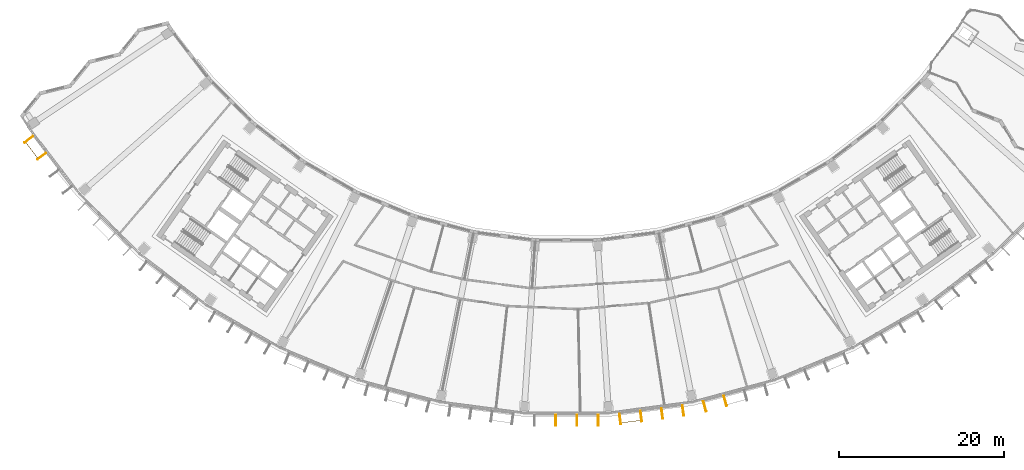
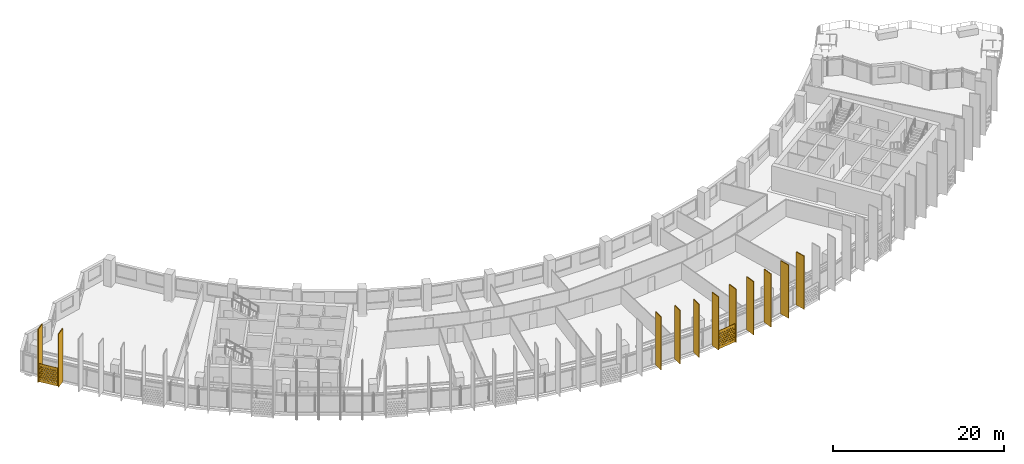
# One storey, part 25 of 30: 13 shading devices.
"""IFC4 building model written with IfcOpenShell, lengths in metres."""

from ifc_helpers import new_model, si_unit, direction, frame, origin, origin_2d, place, context, subcontext, project, spatial, polyline, rectangle, outline, extrude, material, material_profile, profile_set, type_object, element, save


model = new_model("IFC4")

# Units and contexts
model_context = context("Model", 3, precision=1e-05, world=origin(), true_north=direction((0.0, 1.0)))
body_context = subcontext(model_context, "Body", "Model", "MODEL_VIEW")
ifc_project = project(units=[si_unit("LENGTHUNIT", "METRE"), si_unit("AREAUNIT", "SQUARE_METRE"), si_unit("VOLUMEUNIT", "CUBIC_METRE"), si_unit("PLANEANGLEUNIT", "RADIAN"), si_unit("MASSUNIT", "GRAM", prefix="KILO")], contexts=[model_context])

# Site, building, storey
site_placement = place(None, origin())
site = spatial("IfcSite", under=ifc_project, at=site_placement, CompositionType="ELEMENT")
building_placement = place(site_placement, origin())
building = spatial("IfcBuilding", under=site, at=building_placement, Name="Qamariyya Broadcast Tower", CompositionType="ELEMENT")
storey_placement = place(building_placement, frame((0.0, 0.0, 203.699951171875)))
storey = spatial("IfcBuildingStorey", under=building, at=storey_placement, Name="L48", CompositionType="ELEMENT", Elevation=203.699951171875)

# Shading devices
ifc_material_1 = material(Name="Perforated glazed terracotta", Category="masonry")
ifc_material_profile_1 = material_profile(ifc_material_1, outline(polyline([(-1.199951171875, -1.300048828125), (1.199951171875, -1.300048828125), (1.199951171875, 1.300048828125), (-1.199951171875, 1.300048828125), (-1.199951171875, -1.300048828125)]), holes=[polyline([(-0.81494140625, -0.86669921875), (-0.89990234375, -0.78173828125), (-0.985107421875, -0.86669921875), (-0.89990234375, -0.95166015625), (-0.81494140625, -0.86669921875)]), polyline([(-0.514892578125, -0.86669921875), (-0.60009765625, -0.78173828125), (-0.68505859375, -0.86669921875), (-0.60009765625, -0.95166015625), (-0.514892578125, -0.86669921875)]), polyline([(-0.215087890625, -0.86669921875), (-0.300048828125, -0.78173828125), (-0.385009765625, -0.86669921875), (-0.300048828125, -0.95166015625), (-0.215087890625, -0.86669921875)]), polyline([(0.0849609375, -0.86669921875), (0.0, -0.78173828125), (-0.0849609375, -0.86669921875), (0.0, -0.95166015625), (0.0849609375, -0.86669921875)]), polyline([(0.385009765625, -0.86669921875), (0.300048828125, -0.78173828125), (0.215087890625, -0.86669921875), (0.300048828125, -0.95166015625), (0.385009765625, -0.86669921875)]), polyline([(0.68505859375, -0.86669921875), (0.60009765625, -0.78173828125), (0.514892578125, -0.86669921875), (0.60009765625, -0.95166015625), (0.68505859375, -0.86669921875)]), polyline([(0.985107421875, -0.86669921875), (0.89990234375, -0.78173828125), (0.81494140625, -0.86669921875), (0.89990234375, -0.95166015625), (0.985107421875, -0.86669921875)]), polyline([(-0.965087890625, -0.577880859375), (-1.050048828125, -0.49267578125), (-1.135009765625, -0.577880859375), (-1.050048828125, -0.662841796875), (-0.965087890625, -0.577880859375)]), polyline([(-0.6650390625, -0.577880859375), (-0.75, -0.49267578125), (-0.8349609375, -0.577880859375), (-0.75, -0.662841796875), (-0.6650390625, -0.577880859375)]), polyline([(-0.364990234375, -0.577880859375), (-0.449951171875, -0.49267578125), (-0.534912109375, -0.577880859375), (-0.449951171875, -0.662841796875), (-0.364990234375, -0.577880859375)]), polyline([(-0.06494140625, -0.577880859375), (-0.14990234375, -0.49267578125), (-0.235107421875, -0.577880859375), (-0.14990234375, -0.662841796875), (-0.06494140625, -0.577880859375)]), polyline([(0.235107421875, -0.577880859375), (0.14990234375, -0.49267578125), (0.06494140625, -0.577880859375), (0.14990234375, -0.662841796875), (0.235107421875, -0.577880859375)]), polyline([(0.534912109375, -0.577880859375), (0.449951171875, -0.49267578125), (0.364990234375, -0.577880859375), (0.449951171875, -0.662841796875), (0.534912109375, -0.577880859375)]), polyline([(0.8349609375, -0.577880859375), (0.75, -0.49267578125), (0.6650390625, -0.577880859375), (0.75, -0.662841796875), (0.8349609375, -0.577880859375)]), polyline([(1.135009765625, -0.577880859375), (1.050048828125, -0.49267578125), (0.965087890625, -0.577880859375), (1.050048828125, -0.662841796875), (1.135009765625, -0.577880859375)]), polyline([(-0.81494140625, -0.288818359375), (-0.89990234375, -0.203857421875), (-0.985107421875, -0.288818359375), (-0.89990234375, -0.373779296875), (-0.81494140625, -0.288818359375)]), polyline([(-0.514892578125, -0.288818359375), (-0.60009765625, -0.203857421875), (-0.68505859375, -0.288818359375), (-0.60009765625, -0.373779296875), (-0.514892578125, -0.288818359375)]), polyline([(-0.215087890625, -0.288818359375), (-0.300048828125, -0.203857421875), (-0.385009765625, -0.288818359375), (-0.300048828125, -0.373779296875), (-0.215087890625, -0.288818359375)]), polyline([(0.0849609375, -0.288818359375), (0.0, -0.203857421875), (-0.0849609375, -0.288818359375), (0.0, -0.373779296875), (0.0849609375, -0.288818359375)]), polyline([(0.385009765625, -0.288818359375), (0.300048828125, -0.203857421875), (0.215087890625, -0.288818359375), (0.300048828125, -0.373779296875), (0.385009765625, -0.288818359375)]), polyline([(0.68505859375, -0.288818359375), (0.60009765625, -0.203857421875), (0.514892578125, -0.288818359375), (0.60009765625, -0.373779296875), (0.68505859375, -0.288818359375)]), polyline([(0.985107421875, -0.288818359375), (0.89990234375, -0.203857421875), (0.81494140625, -0.288818359375), (0.89990234375, -0.373779296875), (0.985107421875, -0.288818359375)]), polyline([(-0.965087890625, 0.0), (-1.050048828125, 0.0849609375), (-1.135009765625, 0.0), (-1.050048828125, -0.0849609375), (-0.965087890625, 0.0)]), polyline([(-0.6650390625, 0.0), (-0.75, 0.0849609375), (-0.8349609375, 0.0), (-0.75, -0.0849609375), (-0.6650390625, 0.0)]), polyline([(-0.364990234375, 0.0), (-0.449951171875, 0.0849609375), (-0.534912109375, 0.0), (-0.449951171875, -0.0849609375), (-0.364990234375, 0.0)]), polyline([(-0.06494140625, 0.0), (-0.14990234375, 0.0849609375), (-0.235107421875, 0.0), (-0.14990234375, -0.0849609375), (-0.06494140625, 0.0)]), polyline([(0.235107421875, 0.0), (0.14990234375, 0.0849609375), (0.06494140625, 0.0), (0.14990234375, -0.0849609375), (0.235107421875, 0.0)]), polyline([(0.534912109375, 0.0), (0.449951171875, 0.0849609375), (0.364990234375, 0.0), (0.449951171875, -0.0849609375), (0.534912109375, 0.0)]), polyline([(0.8349609375, 0.0), (0.75, 0.0849609375), (0.6650390625, 0.0), (0.75, -0.0849609375), (0.8349609375, 0.0)]), polyline([(1.135009765625, 0.0), (1.050048828125, 0.0849609375), (0.965087890625, 0.0), (1.050048828125, -0.0849609375), (1.135009765625, 0.0)]), polyline([(-0.81494140625, 0.288818359375), (-0.89990234375, 0.373779296875), (-0.985107421875, 0.288818359375), (-0.89990234375, 0.203857421875), (-0.81494140625, 0.288818359375)]), polyline([(-0.514892578125, 0.288818359375), (-0.60009765625, 0.373779296875), (-0.68505859375, 0.288818359375), (-0.60009765625, 0.203857421875), (-0.514892578125, 0.288818359375)]), polyline([(-0.215087890625, 0.288818359375), (-0.300048828125, 0.373779296875), (-0.385009765625, 0.288818359375), (-0.300048828125, 0.203857421875), (-0.215087890625, 0.288818359375)]), polyline([(0.0849609375, 0.288818359375), (0.0, 0.373779296875), (-0.0849609375, 0.288818359375), (0.0, 0.203857421875), (0.0849609375, 0.288818359375)]), polyline([(0.385009765625, 0.288818359375), (0.300048828125, 0.373779296875), (0.215087890625, 0.288818359375), (0.300048828125, 0.203857421875), (0.385009765625, 0.288818359375)]), polyline([(0.68505859375, 0.288818359375), (0.60009765625, 0.373779296875), (0.514892578125, 0.288818359375), (0.60009765625, 0.203857421875), (0.68505859375, 0.288818359375)]), polyline([(0.985107421875, 0.288818359375), (0.89990234375, 0.373779296875), (0.81494140625, 0.288818359375), (0.89990234375, 0.203857421875), (0.985107421875, 0.288818359375)]), polyline([(-0.965087890625, 0.577880859375), (-1.050048828125, 0.662841796875), (-1.135009765625, 0.577880859375), (-1.050048828125, 0.49267578125), (-0.965087890625, 0.577880859375)]), polyline([(-0.6650390625, 0.577880859375), (-0.75, 0.662841796875), (-0.8349609375, 0.577880859375), (-0.75, 0.49267578125), (-0.6650390625, 0.577880859375)]), polyline([(-0.364990234375, 0.577880859375), (-0.449951171875, 0.662841796875), (-0.534912109375, 0.577880859375), (-0.449951171875, 0.49267578125), (-0.364990234375, 0.577880859375)]), polyline([(-0.06494140625, 0.577880859375), (-0.14990234375, 0.662841796875), (-0.235107421875, 0.577880859375), (-0.14990234375, 0.49267578125), (-0.06494140625, 0.577880859375)]), polyline([(0.235107421875, 0.577880859375), (0.14990234375, 0.662841796875), (0.06494140625, 0.577880859375), (0.14990234375, 0.49267578125), (0.235107421875, 0.577880859375)]), polyline([(0.534912109375, 0.577880859375), (0.449951171875, 0.662841796875), (0.364990234375, 0.577880859375), (0.449951171875, 0.49267578125), (0.534912109375, 0.577880859375)]), polyline([(0.8349609375, 0.577880859375), (0.75, 0.662841796875), (0.6650390625, 0.577880859375), (0.75, 0.49267578125), (0.8349609375, 0.577880859375)]), polyline([(1.135009765625, 0.577880859375), (1.050048828125, 0.662841796875), (0.965087890625, 0.577880859375), (1.050048828125, 0.49267578125), (1.135009765625, 0.577880859375)]), polyline([(-0.81494140625, 0.86669921875), (-0.89990234375, 0.95166015625), (-0.985107421875, 0.86669921875), (-0.89990234375, 0.78173828125), (-0.81494140625, 0.86669921875)]), polyline([(-0.514892578125, 0.86669921875), (-0.60009765625, 0.95166015625), (-0.68505859375, 0.86669921875), (-0.60009765625, 0.78173828125), (-0.514892578125, 0.86669921875)]), polyline([(-0.215087890625, 0.86669921875), (-0.300048828125, 0.95166015625), (-0.385009765625, 0.86669921875), (-0.300048828125, 0.78173828125), (-0.215087890625, 0.86669921875)]), polyline([(0.0849609375, 0.86669921875), (0.0, 0.95166015625), (-0.0849609375, 0.86669921875), (0.0, 0.78173828125), (0.0849609375, 0.86669921875)]), polyline([(0.385009765625, 0.86669921875), (0.300048828125, 0.95166015625), (0.215087890625, 0.86669921875), (0.300048828125, 0.78173828125), (0.385009765625, 0.86669921875)]), polyline([(0.68505859375, 0.86669921875), (0.60009765625, 0.95166015625), (0.514892578125, 0.86669921875), (0.60009765625, 0.78173828125), (0.68505859375, 0.86669921875)]), polyline([(0.985107421875, 0.86669921875), (0.89990234375, 0.95166015625), (0.81494140625, 0.86669921875), (0.89990234375, 0.78173828125), (0.985107421875, 0.86669921875)])]))
ifc_profile_set_1 = profile_set([ifc_material_profile_1], Name="Perforated glazed terracotta")
shading_device_type_1 = type_object("IfcShadingDeviceType", Name="Perforated terracotta screen 2400 x 2600", PredefinedType="USERDEFINED", material=ifc_profile_set_1)
shading_device_1_placement = place(storey_placement, frame((-64.85888671875, -46.480712890625, 1.35009765625), z_axis=(-0.794589096806, -0.607147566278, 0.0), x_axis=(0.607147566278, -0.794589096806, 0.0)))
element("IfcShadingDevice", 1, at=shading_device_1_placement, inside=storey, type_object=shading_device_type_1, Name="e-scr-L48-01-0", ObjectType="SCREEN", PredefinedType="USERDEFINED", context=body_context, shape_type="SweptSolid", body=[
    extrude(outline(polyline([(-1.199951171875, -1.300048828125), (1.199951171875, -1.300048828125), (1.199951171875, 1.300048828125), (-1.199951171875, 1.300048828125), (-1.199951171875, -1.300048828125)]), holes=[polyline([(-0.81494140625, -0.86669921875), (-0.89990234375, -0.78173828125), (-0.985107421875, -0.86669921875), (-0.89990234375, -0.95166015625), (-0.81494140625, -0.86669921875)]), polyline([(-0.514892578125, -0.86669921875), (-0.60009765625, -0.78173828125), (-0.68505859375, -0.86669921875), (-0.60009765625, -0.95166015625), (-0.514892578125, -0.86669921875)]), polyline([(-0.215087890625, -0.86669921875), (-0.300048828125, -0.78173828125), (-0.385009765625, -0.86669921875), (-0.300048828125, -0.95166015625), (-0.215087890625, -0.86669921875)]), polyline([(0.0849609375, -0.86669921875), (0.0, -0.78173828125), (-0.0849609375, -0.86669921875), (0.0, -0.95166015625), (0.0849609375, -0.86669921875)]), polyline([(0.385009765625, -0.86669921875), (0.300048828125, -0.78173828125), (0.215087890625, -0.86669921875), (0.300048828125, -0.95166015625), (0.385009765625, -0.86669921875)]), polyline([(0.68505859375, -0.86669921875), (0.60009765625, -0.78173828125), (0.514892578125, -0.86669921875), (0.60009765625, -0.95166015625), (0.68505859375, -0.86669921875)]), polyline([(0.985107421875, -0.86669921875), (0.89990234375, -0.78173828125), (0.81494140625, -0.86669921875), (0.89990234375, -0.95166015625), (0.985107421875, -0.86669921875)]), polyline([(-0.965087890625, -0.577880859375), (-1.050048828125, -0.49267578125), (-1.135009765625, -0.577880859375), (-1.050048828125, -0.662841796875), (-0.965087890625, -0.577880859375)]), polyline([(-0.6650390625, -0.577880859375), (-0.75, -0.49267578125), (-0.8349609375, -0.577880859375), (-0.75, -0.662841796875), (-0.6650390625, -0.577880859375)]), polyline([(-0.364990234375, -0.577880859375), (-0.449951171875, -0.49267578125), (-0.534912109375, -0.577880859375), (-0.449951171875, -0.662841796875), (-0.364990234375, -0.577880859375)]), polyline([(-0.06494140625, -0.577880859375), (-0.14990234375, -0.49267578125), (-0.235107421875, -0.577880859375), (-0.14990234375, -0.662841796875), (-0.06494140625, -0.577880859375)]), polyline([(0.235107421875, -0.577880859375), (0.14990234375, -0.49267578125), (0.06494140625, -0.577880859375), (0.14990234375, -0.662841796875), (0.235107421875, -0.577880859375)]), polyline([(0.534912109375, -0.577880859375), (0.449951171875, -0.49267578125), (0.364990234375, -0.577880859375), (0.449951171875, -0.662841796875), (0.534912109375, -0.577880859375)]), polyline([(0.8349609375, -0.577880859375), (0.75, -0.49267578125), (0.6650390625, -0.577880859375), (0.75, -0.662841796875), (0.8349609375, -0.577880859375)]), polyline([(1.135009765625, -0.577880859375), (1.050048828125, -0.49267578125), (0.965087890625, -0.577880859375), (1.050048828125, -0.662841796875), (1.135009765625, -0.577880859375)]), polyline([(-0.81494140625, -0.288818359375), (-0.89990234375, -0.203857421875), (-0.985107421875, -0.288818359375), (-0.89990234375, -0.373779296875), (-0.81494140625, -0.288818359375)]), polyline([(-0.514892578125, -0.288818359375), (-0.60009765625, -0.203857421875), (-0.68505859375, -0.288818359375), (-0.60009765625, -0.373779296875), (-0.514892578125, -0.288818359375)]), polyline([(-0.215087890625, -0.288818359375), (-0.300048828125, -0.203857421875), (-0.385009765625, -0.288818359375), (-0.300048828125, -0.373779296875), (-0.215087890625, -0.288818359375)]), polyline([(0.0849609375, -0.288818359375), (0.0, -0.203857421875), (-0.0849609375, -0.288818359375), (0.0, -0.373779296875), (0.0849609375, -0.288818359375)]), polyline([(0.385009765625, -0.288818359375), (0.300048828125, -0.203857421875), (0.215087890625, -0.288818359375), (0.300048828125, -0.373779296875), (0.385009765625, -0.288818359375)]), polyline([(0.68505859375, -0.288818359375), (0.60009765625, -0.203857421875), (0.514892578125, -0.288818359375), (0.60009765625, -0.373779296875), (0.68505859375, -0.288818359375)]), polyline([(0.985107421875, -0.288818359375), (0.89990234375, -0.203857421875), (0.81494140625, -0.288818359375), (0.89990234375, -0.373779296875), (0.985107421875, -0.288818359375)]), polyline([(-0.965087890625, 0.0), (-1.050048828125, 0.0849609375), (-1.135009765625, 0.0), (-1.050048828125, -0.0849609375), (-0.965087890625, 0.0)]), polyline([(-0.6650390625, 0.0), (-0.75, 0.0849609375), (-0.8349609375, 0.0), (-0.75, -0.0849609375), (-0.6650390625, 0.0)]), polyline([(-0.364990234375, 0.0), (-0.449951171875, 0.0849609375), (-0.534912109375, 0.0), (-0.449951171875, -0.0849609375), (-0.364990234375, 0.0)]), polyline([(-0.06494140625, 0.0), (-0.14990234375, 0.0849609375), (-0.235107421875, 0.0), (-0.14990234375, -0.0849609375), (-0.06494140625, 0.0)]), polyline([(0.235107421875, 0.0), (0.14990234375, 0.0849609375), (0.06494140625, 0.0), (0.14990234375, -0.0849609375), (0.235107421875, 0.0)]), polyline([(0.534912109375, 0.0), (0.449951171875, 0.0849609375), (0.364990234375, 0.0), (0.449951171875, -0.0849609375), (0.534912109375, 0.0)]), polyline([(0.8349609375, 0.0), (0.75, 0.0849609375), (0.6650390625, 0.0), (0.75, -0.0849609375), (0.8349609375, 0.0)]), polyline([(1.135009765625, 0.0), (1.050048828125, 0.0849609375), (0.965087890625, 0.0), (1.050048828125, -0.0849609375), (1.135009765625, 0.0)]), polyline([(-0.81494140625, 0.288818359375), (-0.89990234375, 0.373779296875), (-0.985107421875, 0.288818359375), (-0.89990234375, 0.203857421875), (-0.81494140625, 0.288818359375)]), polyline([(-0.514892578125, 0.288818359375), (-0.60009765625, 0.373779296875), (-0.68505859375, 0.288818359375), (-0.60009765625, 0.203857421875), (-0.514892578125, 0.288818359375)]), polyline([(-0.215087890625, 0.288818359375), (-0.300048828125, 0.373779296875), (-0.385009765625, 0.288818359375), (-0.300048828125, 0.203857421875), (-0.215087890625, 0.288818359375)]), polyline([(0.0849609375, 0.288818359375), (0.0, 0.373779296875), (-0.0849609375, 0.288818359375), (0.0, 0.203857421875), (0.0849609375, 0.288818359375)]), polyline([(0.385009765625, 0.288818359375), (0.300048828125, 0.373779296875), (0.215087890625, 0.288818359375), (0.300048828125, 0.203857421875), (0.385009765625, 0.288818359375)]), polyline([(0.68505859375, 0.288818359375), (0.60009765625, 0.373779296875), (0.514892578125, 0.288818359375), (0.60009765625, 0.203857421875), (0.68505859375, 0.288818359375)]), polyline([(0.985107421875, 0.288818359375), (0.89990234375, 0.373779296875), (0.81494140625, 0.288818359375), (0.89990234375, 0.203857421875), (0.985107421875, 0.288818359375)]), polyline([(-0.965087890625, 0.577880859375), (-1.050048828125, 0.662841796875), (-1.135009765625, 0.577880859375), (-1.050048828125, 0.49267578125), (-0.965087890625, 0.577880859375)]), polyline([(-0.6650390625, 0.577880859375), (-0.75, 0.662841796875), (-0.8349609375, 0.577880859375), (-0.75, 0.49267578125), (-0.6650390625, 0.577880859375)]), polyline([(-0.364990234375, 0.577880859375), (-0.449951171875, 0.662841796875), (-0.534912109375, 0.577880859375), (-0.449951171875, 0.49267578125), (-0.364990234375, 0.577880859375)]), polyline([(-0.06494140625, 0.577880859375), (-0.14990234375, 0.662841796875), (-0.235107421875, 0.577880859375), (-0.14990234375, 0.49267578125), (-0.06494140625, 0.577880859375)]), polyline([(0.235107421875, 0.577880859375), (0.14990234375, 0.662841796875), (0.06494140625, 0.577880859375), (0.14990234375, 0.49267578125), (0.235107421875, 0.577880859375)]), polyline([(0.534912109375, 0.577880859375), (0.449951171875, 0.662841796875), (0.364990234375, 0.577880859375), (0.449951171875, 0.49267578125), (0.534912109375, 0.577880859375)]), polyline([(0.8349609375, 0.577880859375), (0.75, 0.662841796875), (0.6650390625, 0.577880859375), (0.75, 0.49267578125), (0.8349609375, 0.577880859375)]), polyline([(1.135009765625, 0.577880859375), (1.050048828125, 0.662841796875), (0.965087890625, 0.577880859375), (1.050048828125, 0.49267578125), (1.135009765625, 0.577880859375)]), polyline([(-0.81494140625, 0.86669921875), (-0.89990234375, 0.95166015625), (-0.985107421875, 0.86669921875), (-0.89990234375, 0.78173828125), (-0.81494140625, 0.86669921875)]), polyline([(-0.514892578125, 0.86669921875), (-0.60009765625, 0.95166015625), (-0.68505859375, 0.86669921875), (-0.60009765625, 0.78173828125), (-0.514892578125, 0.86669921875)]), polyline([(-0.215087890625, 0.86669921875), (-0.300048828125, 0.95166015625), (-0.385009765625, 0.86669921875), (-0.300048828125, 0.78173828125), (-0.215087890625, 0.86669921875)]), polyline([(0.0849609375, 0.86669921875), (0.0, 0.95166015625), (-0.0849609375, 0.86669921875), (0.0, 0.78173828125), (0.0849609375, 0.86669921875)]), polyline([(0.385009765625, 0.86669921875), (0.300048828125, 0.95166015625), (0.215087890625, 0.86669921875), (0.300048828125, 0.78173828125), (0.385009765625, 0.86669921875)]), polyline([(0.68505859375, 0.86669921875), (0.60009765625, 0.95166015625), (0.514892578125, 0.86669921875), (0.60009765625, 0.78173828125), (0.68505859375, 0.86669921875)]), polyline([(0.985107421875, 0.86669921875), (0.89990234375, 0.95166015625), (0.81494140625, 0.86669921875), (0.89990234375, 0.78173828125), (0.985107421875, 0.86669921875)])]), origin(), (0.0, 0.0, 1.0), 0.059814453125),
])
shading_device_2_placement = place(storey_placement, frame((7.823974609375, -79.40966796875, 1.35009765625), z_axis=(0.1300340368, -0.991509530601, 0.0), x_axis=(0.991509530601, 0.1300340368, 0.0)))
element("IfcShadingDevice", 2, at=shading_device_2_placement, inside=storey, type_object=shading_device_type_1, Name="e-scr-L48-09-0", ObjectType="SCREEN", PredefinedType="USERDEFINED", context=body_context, shape_type="SweptSolid", body=[
    extrude(outline(polyline([(-1.199951171875, -1.300048828125), (1.199951171875, -1.300048828125), (1.199951171875, 1.300048828125), (-1.199951171875, 1.300048828125), (-1.199951171875, -1.300048828125)]), holes=[polyline([(-0.81494140625, -0.86669921875), (-0.89990234375, -0.78173828125), (-0.985107421875, -0.86669921875), (-0.89990234375, -0.95166015625), (-0.81494140625, -0.86669921875)]), polyline([(-0.514892578125, -0.86669921875), (-0.60009765625, -0.78173828125), (-0.68505859375, -0.86669921875), (-0.60009765625, -0.95166015625), (-0.514892578125, -0.86669921875)]), polyline([(-0.215087890625, -0.86669921875), (-0.300048828125, -0.78173828125), (-0.385009765625, -0.86669921875), (-0.300048828125, -0.95166015625), (-0.215087890625, -0.86669921875)]), polyline([(0.0849609375, -0.86669921875), (0.0, -0.78173828125), (-0.0849609375, -0.86669921875), (0.0, -0.95166015625), (0.0849609375, -0.86669921875)]), polyline([(0.385009765625, -0.86669921875), (0.300048828125, -0.78173828125), (0.215087890625, -0.86669921875), (0.300048828125, -0.95166015625), (0.385009765625, -0.86669921875)]), polyline([(0.68505859375, -0.86669921875), (0.60009765625, -0.78173828125), (0.514892578125, -0.86669921875), (0.60009765625, -0.95166015625), (0.68505859375, -0.86669921875)]), polyline([(0.985107421875, -0.86669921875), (0.89990234375, -0.78173828125), (0.81494140625, -0.86669921875), (0.89990234375, -0.95166015625), (0.985107421875, -0.86669921875)]), polyline([(-0.965087890625, -0.577880859375), (-1.050048828125, -0.49267578125), (-1.135009765625, -0.577880859375), (-1.050048828125, -0.662841796875), (-0.965087890625, -0.577880859375)]), polyline([(-0.6650390625, -0.577880859375), (-0.75, -0.49267578125), (-0.8349609375, -0.577880859375), (-0.75, -0.662841796875), (-0.6650390625, -0.577880859375)]), polyline([(-0.364990234375, -0.577880859375), (-0.449951171875, -0.49267578125), (-0.534912109375, -0.577880859375), (-0.449951171875, -0.662841796875), (-0.364990234375, -0.577880859375)]), polyline([(-0.06494140625, -0.577880859375), (-0.14990234375, -0.49267578125), (-0.235107421875, -0.577880859375), (-0.14990234375, -0.662841796875), (-0.06494140625, -0.577880859375)]), polyline([(0.235107421875, -0.577880859375), (0.14990234375, -0.49267578125), (0.06494140625, -0.577880859375), (0.14990234375, -0.662841796875), (0.235107421875, -0.577880859375)]), polyline([(0.534912109375, -0.577880859375), (0.449951171875, -0.49267578125), (0.364990234375, -0.577880859375), (0.449951171875, -0.662841796875), (0.534912109375, -0.577880859375)]), polyline([(0.8349609375, -0.577880859375), (0.75, -0.49267578125), (0.6650390625, -0.577880859375), (0.75, -0.662841796875), (0.8349609375, -0.577880859375)]), polyline([(1.135009765625, -0.577880859375), (1.050048828125, -0.49267578125), (0.965087890625, -0.577880859375), (1.050048828125, -0.662841796875), (1.135009765625, -0.577880859375)]), polyline([(-0.81494140625, -0.288818359375), (-0.89990234375, -0.203857421875), (-0.985107421875, -0.288818359375), (-0.89990234375, -0.373779296875), (-0.81494140625, -0.288818359375)]), polyline([(-0.514892578125, -0.288818359375), (-0.60009765625, -0.203857421875), (-0.68505859375, -0.288818359375), (-0.60009765625, -0.373779296875), (-0.514892578125, -0.288818359375)]), polyline([(-0.215087890625, -0.288818359375), (-0.300048828125, -0.203857421875), (-0.385009765625, -0.288818359375), (-0.300048828125, -0.373779296875), (-0.215087890625, -0.288818359375)]), polyline([(0.0849609375, -0.288818359375), (0.0, -0.203857421875), (-0.0849609375, -0.288818359375), (0.0, -0.373779296875), (0.0849609375, -0.288818359375)]), polyline([(0.385009765625, -0.288818359375), (0.300048828125, -0.203857421875), (0.215087890625, -0.288818359375), (0.300048828125, -0.373779296875), (0.385009765625, -0.288818359375)]), polyline([(0.68505859375, -0.288818359375), (0.60009765625, -0.203857421875), (0.514892578125, -0.288818359375), (0.60009765625, -0.373779296875), (0.68505859375, -0.288818359375)]), polyline([(0.985107421875, -0.288818359375), (0.89990234375, -0.203857421875), (0.81494140625, -0.288818359375), (0.89990234375, -0.373779296875), (0.985107421875, -0.288818359375)]), polyline([(-0.965087890625, 0.0), (-1.050048828125, 0.0849609375), (-1.135009765625, 0.0), (-1.050048828125, -0.0849609375), (-0.965087890625, 0.0)]), polyline([(-0.6650390625, 0.0), (-0.75, 0.0849609375), (-0.8349609375, 0.0), (-0.75, -0.0849609375), (-0.6650390625, 0.0)]), polyline([(-0.364990234375, 0.0), (-0.449951171875, 0.0849609375), (-0.534912109375, 0.0), (-0.449951171875, -0.0849609375), (-0.364990234375, 0.0)]), polyline([(-0.06494140625, 0.0), (-0.14990234375, 0.0849609375), (-0.235107421875, 0.0), (-0.14990234375, -0.0849609375), (-0.06494140625, 0.0)]), polyline([(0.235107421875, 0.0), (0.14990234375, 0.0849609375), (0.06494140625, 0.0), (0.14990234375, -0.0849609375), (0.235107421875, 0.0)]), polyline([(0.534912109375, 0.0), (0.449951171875, 0.0849609375), (0.364990234375, 0.0), (0.449951171875, -0.0849609375), (0.534912109375, 0.0)]), polyline([(0.8349609375, 0.0), (0.75, 0.0849609375), (0.6650390625, 0.0), (0.75, -0.0849609375), (0.8349609375, 0.0)]), polyline([(1.135009765625, 0.0), (1.050048828125, 0.0849609375), (0.965087890625, 0.0), (1.050048828125, -0.0849609375), (1.135009765625, 0.0)]), polyline([(-0.81494140625, 0.288818359375), (-0.89990234375, 0.373779296875), (-0.985107421875, 0.288818359375), (-0.89990234375, 0.203857421875), (-0.81494140625, 0.288818359375)]), polyline([(-0.514892578125, 0.288818359375), (-0.60009765625, 0.373779296875), (-0.68505859375, 0.288818359375), (-0.60009765625, 0.203857421875), (-0.514892578125, 0.288818359375)]), polyline([(-0.215087890625, 0.288818359375), (-0.300048828125, 0.373779296875), (-0.385009765625, 0.288818359375), (-0.300048828125, 0.203857421875), (-0.215087890625, 0.288818359375)]), polyline([(0.0849609375, 0.288818359375), (0.0, 0.373779296875), (-0.0849609375, 0.288818359375), (0.0, 0.203857421875), (0.0849609375, 0.288818359375)]), polyline([(0.385009765625, 0.288818359375), (0.300048828125, 0.373779296875), (0.215087890625, 0.288818359375), (0.300048828125, 0.203857421875), (0.385009765625, 0.288818359375)]), polyline([(0.68505859375, 0.288818359375), (0.60009765625, 0.373779296875), (0.514892578125, 0.288818359375), (0.60009765625, 0.203857421875), (0.68505859375, 0.288818359375)]), polyline([(0.985107421875, 0.288818359375), (0.89990234375, 0.373779296875), (0.81494140625, 0.288818359375), (0.89990234375, 0.203857421875), (0.985107421875, 0.288818359375)]), polyline([(-0.965087890625, 0.577880859375), (-1.050048828125, 0.662841796875), (-1.135009765625, 0.577880859375), (-1.050048828125, 0.49267578125), (-0.965087890625, 0.577880859375)]), polyline([(-0.6650390625, 0.577880859375), (-0.75, 0.662841796875), (-0.8349609375, 0.577880859375), (-0.75, 0.49267578125), (-0.6650390625, 0.577880859375)]), polyline([(-0.364990234375, 0.577880859375), (-0.449951171875, 0.662841796875), (-0.534912109375, 0.577880859375), (-0.449951171875, 0.49267578125), (-0.364990234375, 0.577880859375)]), polyline([(-0.06494140625, 0.577880859375), (-0.14990234375, 0.662841796875), (-0.235107421875, 0.577880859375), (-0.14990234375, 0.49267578125), (-0.06494140625, 0.577880859375)]), polyline([(0.235107421875, 0.577880859375), (0.14990234375, 0.662841796875), (0.06494140625, 0.577880859375), (0.14990234375, 0.49267578125), (0.235107421875, 0.577880859375)]), polyline([(0.534912109375, 0.577880859375), (0.449951171875, 0.662841796875), (0.364990234375, 0.577880859375), (0.449951171875, 0.49267578125), (0.534912109375, 0.577880859375)]), polyline([(0.8349609375, 0.577880859375), (0.75, 0.662841796875), (0.6650390625, 0.577880859375), (0.75, 0.49267578125), (0.8349609375, 0.577880859375)]), polyline([(1.135009765625, 0.577880859375), (1.050048828125, 0.662841796875), (0.965087890625, 0.577880859375), (1.050048828125, 0.49267578125), (1.135009765625, 0.577880859375)]), polyline([(-0.81494140625, 0.86669921875), (-0.89990234375, 0.95166015625), (-0.985107421875, 0.86669921875), (-0.89990234375, 0.78173828125), (-0.81494140625, 0.86669921875)]), polyline([(-0.514892578125, 0.86669921875), (-0.60009765625, 0.95166015625), (-0.68505859375, 0.86669921875), (-0.60009765625, 0.78173828125), (-0.514892578125, 0.86669921875)]), polyline([(-0.215087890625, 0.86669921875), (-0.300048828125, 0.95166015625), (-0.385009765625, 0.86669921875), (-0.300048828125, 0.78173828125), (-0.215087890625, 0.86669921875)]), polyline([(0.0849609375, 0.86669921875), (0.0, 0.95166015625), (-0.0849609375, 0.86669921875), (0.0, 0.78173828125), (0.0849609375, 0.86669921875)]), polyline([(0.385009765625, 0.86669921875), (0.300048828125, 0.95166015625), (0.215087890625, 0.86669921875), (0.300048828125, 0.78173828125), (0.385009765625, 0.86669921875)]), polyline([(0.68505859375, 0.86669921875), (0.60009765625, 0.95166015625), (0.514892578125, 0.86669921875), (0.60009765625, 0.78173828125), (0.68505859375, 0.86669921875)]), polyline([(0.985107421875, 0.86669921875), (0.89990234375, 0.95166015625), (0.81494140625, 0.86669921875), (0.89990234375, 0.78173828125), (0.985107421875, 0.86669921875)])]), origin(), (0.0, 0.0, 1.0), 0.06005859375),
])
ifc_material_2 = material(Name="Glazed terracotta", Category="masonry")
ifc_material_profile_2 = material_profile(ifc_material_2, rectangle(XDim=1.300048828125, YDim=0.10009765625, at=origin_2d()))
ifc_profile_set_2 = profile_set([ifc_material_profile_2], Name="Glazed terracotta")
shading_device_type_2 = type_object("IfcShadingDeviceType", Name="Terracotta fin 100 x 1300", PredefinedType="USERDEFINED", material=ifc_profile_set_2)
for number, where, z_axis, x_axis, name in (
    (3, (-65.246826171875, -45.202880859375, 0.0), (0.0, 0.0, 1.0), (-0.793353340291, -0.608761429009, 0.0), "e-fin-L48-01-0"),
    (4, (-63.68115234375, -47.243408203125, 0.0), (0.0, 0.0, 1.0), (-0.793353340291, -0.608761429009, 0.0), "e-fin-L48-01-1"),
    (5, (-1.285888671875, -79.281494140625, 0.0), (0.0, 0.0, 1.0), (0.0, -1.0, 0.0), "e-fin-L48-08-1"),
    (6, (1.285888671875, -79.281494140625, 0.0), (0.0, 0.0, 1.0), (0.0, -1.0, 0.0), "e-fin-L48-08-2"),
    (7, (3.85791015625, -79.281494140625, 0.0), (0.0, 0.0, 1.0), (0.0, -1.0, 0.0), "e-fin-L48-08-3"),
    (8, (6.5234375, -79.10693359375, 0.0), (0.0, 0.0, 1.0), (0.13052619222, -0.991444861374, 0.0), "e-fin-L48-09-0"),
    (9, (9.0732421875, -78.771240234375, 0.0), (0.0, 0.0, 1.0), (0.13052619222, -0.991444861374, 0.0), "e-fin-L48-09-1"),
    (10, (11.623291015625, -78.435546875, 0.0), (0.0, 0.0, 1.0), (0.13052619222, -0.991444861374, 0.0), "e-fin-L48-09-2"),
    (11, (14.17333984375, -78.099853515625, 0.0), (0.0, 0.0, 1.0), (0.13052619222, -0.991444861374, 0.0), "e-fin-L48-09-3"),
    (12, (16.79296875, -77.57861328125, 0.0), (0.0, 0.0, 1.0), (0.258819045103, -0.965925826289, 0.0), "e-fin-L48-10-0"),
    (13, (19.27734375, -76.9130859375, 0.0), (0.0, 0.0, 1.0), (0.258819045103, -0.965925826289, 0.0), "e-fin-L48-10-1"),
):
    element("IfcShadingDevice", number, at=place(storey_placement, frame(where, z_axis=z_axis, x_axis=x_axis)), inside=storey, type_object=shading_device_type_2, Name=name, ObjectType="FIN", PredefinedType="USERDEFINED", context=body_context, shape_type="SweptSolid", body=[
        extrude(rectangle(XDim=1.300048828125, YDim=0.10009765625, at=origin_2d()), origin(), (0.0, 0.0, 1.0), 7.60009765625),
    ])

save(model, "model.ifc")
